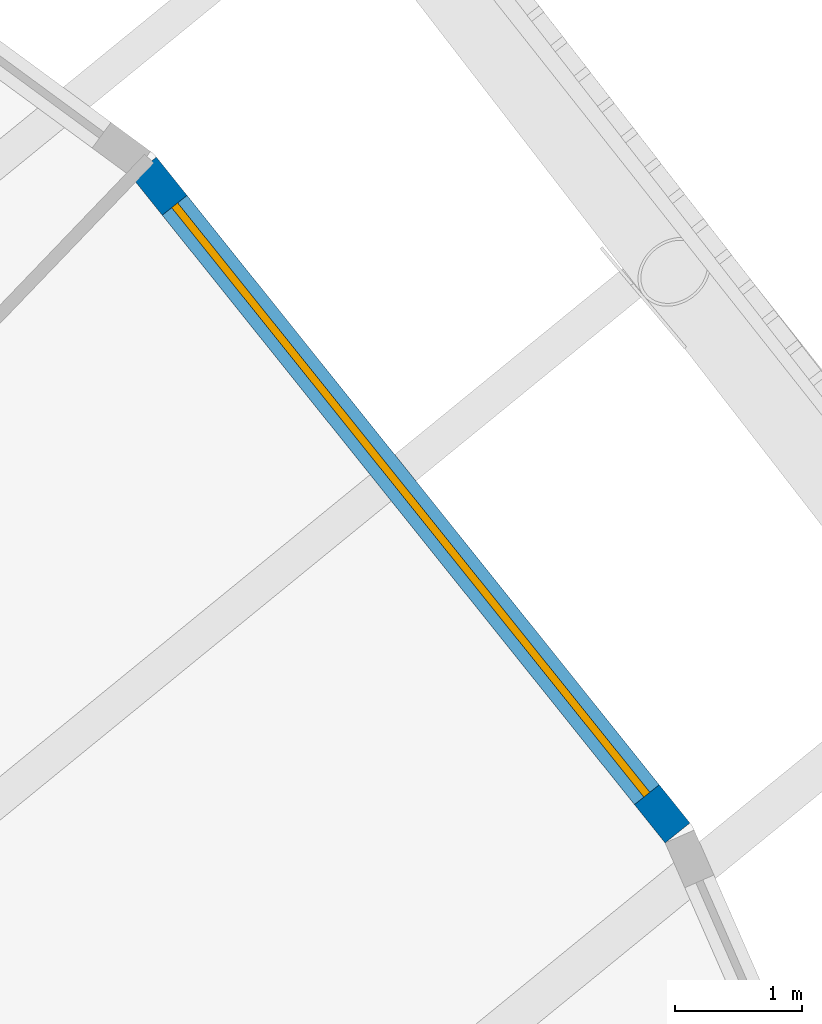
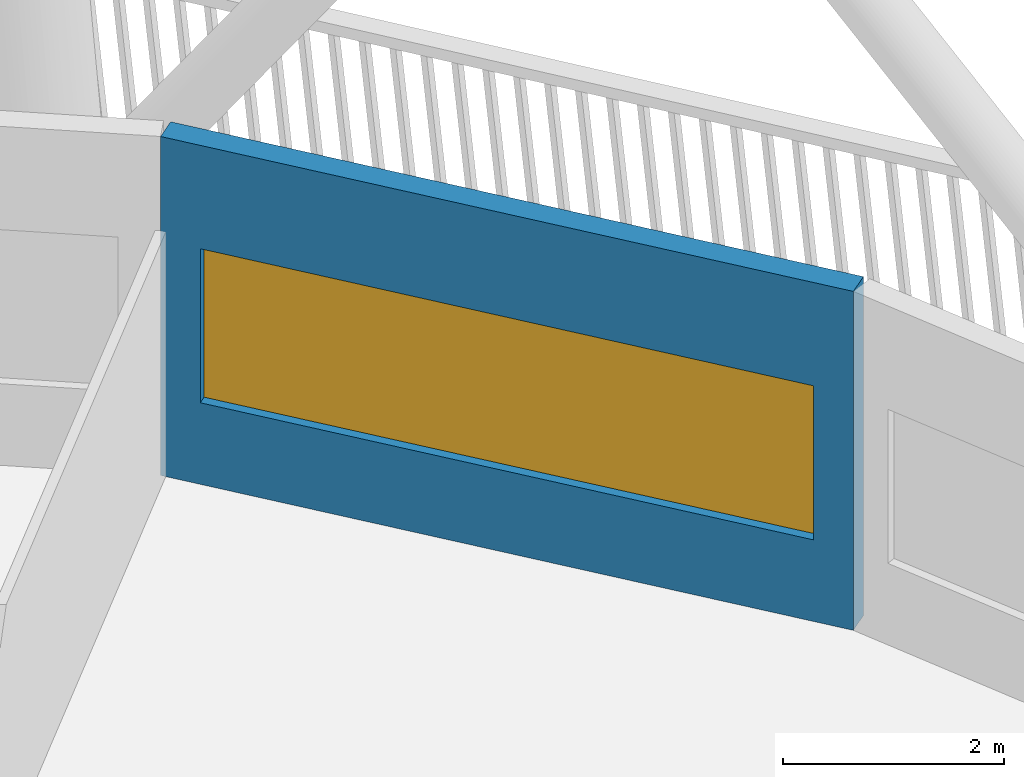
# One storey, part 8 of 22: 1 wall, 1 window, 1 opening.
"""IFC4 building model written with IfcOpenShell, lengths in metres."""

from ifc_helpers import new_model, si_unit, direction, frame, frame_2d, origin, place, context, subcontext, project, spatial, rectangle, extrude, material, layer, layer_set, type_object, element, fill, save


model = new_model("IFC4")

# Units and contexts
model_context = context("Model", 3, precision=1e-05, world=origin(), true_north=direction((0.0, 1.0)))
body_context = subcontext(model_context, "Body", "Model", "MODEL_VIEW")
ifc_project = project(units=[si_unit("LENGTHUNIT", "METRE"), si_unit("AREAUNIT", "SQUARE_METRE"), si_unit("VOLUMEUNIT", "CUBIC_METRE"), si_unit("PLANEANGLEUNIT", "RADIAN"), si_unit("MASSUNIT", "GRAM", prefix="KILO")], contexts=[model_context])

# Site, building, storey
site_placement = place(None, origin())
site = spatial("IfcSite", under=ifc_project, at=site_placement, CompositionType="ELEMENT")
building_placement = place(site_placement, origin())
building = spatial("IfcBuilding", under=site, at=building_placement, Name="Tarsis Ring Headquarters", CompositionType="ELEMENT")
storey_placement = place(building_placement, frame((0.0, 0.0, 40.0)))
storey = spatial("IfcBuildingStorey", under=building, at=storey_placement, Name="L07", CompositionType="ELEMENT", Elevation=40.0)

# Wall, opening, window
ifc_material_1 = material(Name="Terracotta clad insulated panel wall", Category="masonry")
ifc_layer = layer(ifc_material_1, 0.25)
ifc_layer_set = layer_set([ifc_layer], Name="Facade wall terracotta panel 250")
wall_type = type_object("IfcWallType", Name="Facade wall terracotta panel 250", PredefinedType="STANDARD", material=ifc_layer_set)
wall_placement = place(storey_placement, frame((22.121337890625, 13.416259765625, 0.0), z_axis=(0.0, 0.0, 1.0), x_axis=(-0.625253011973, 0.780422110796, 0.0)))
wall = element("IfcWall", 1, at=wall_placement, inside=storey, type_object=wall_type, Name="External wall L07-26", PredefinedType="STANDARD", context=body_context, shape_type="SweptSolid", body=[
    extrude(rectangle(XDim=6.721435546875, YDim=0.25, at=frame_2d((3.36083984375, 0.0))), origin(), (0.0, 0.0, 1.0), 3.739990234375),
])
opening_placement = place(wall_placement, frame((0.3857421875, 0.0, 0.89990234375)))
opening = element("IfcOpeningElement", 2, at=opening_placement, cuts=wall, Name="Opening WN07", PredefinedType="OPENING", context=body_context, shape_type="SweptSolid", body=[
    extrude(rectangle(XDim=5.949951171875, YDim=1.699951171875, at=frame_2d((2.97509765625, 0.85009765625))), frame((0.0, 0.135009765625, 0.0), z_axis=(0.0, -1.0, 0.0), x_axis=(1.0, 0.0, 0.0)), (0.0, 0.0, 1.0), 0.27001953125),
])
ifc_material_2 = material(Name="Aluminium framed double glazing", Category="aluminium")
window_type = type_object("IfcWindowType", Name="Facade window 5950 x 1700", PartitioningType="SINGLE_PANEL", PredefinedType="WINDOW", material=ifc_material_2)
window_placement = place(opening_placement, origin())
window = element("IfcWindow", 3, at=window_placement, inside=storey, type_object=window_type, Name="Window L07-26.1", OverallHeight=1.699951171875, OverallWidth=5.949951171875, PartitioningType="SINGLE_PANEL", PredefinedType="WINDOW", context=body_context, shape_type="SweptSolid", body=[
    extrude(rectangle(XDim=5.949951171875, YDim=1.699951171875, at=frame_2d((2.97509765625, 0.85009765625))), frame((0.0, 0.030029296875, 0.0), z_axis=(0.0, -1.0, 0.0), x_axis=(1.0, 0.0, 0.0)), (0.0, 0.0, 1.0), 0.06005859375),
])
fill(opening, window)

save(model, "model.ifc")
